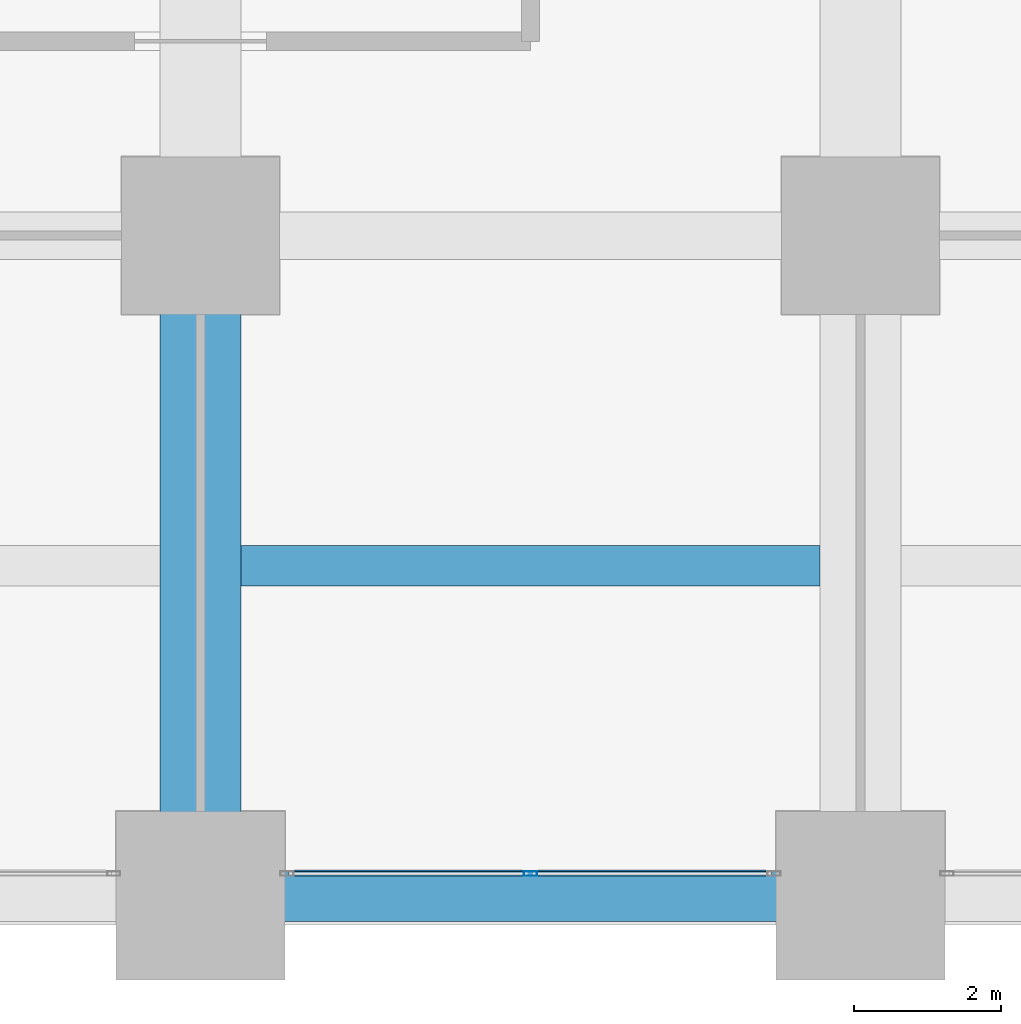
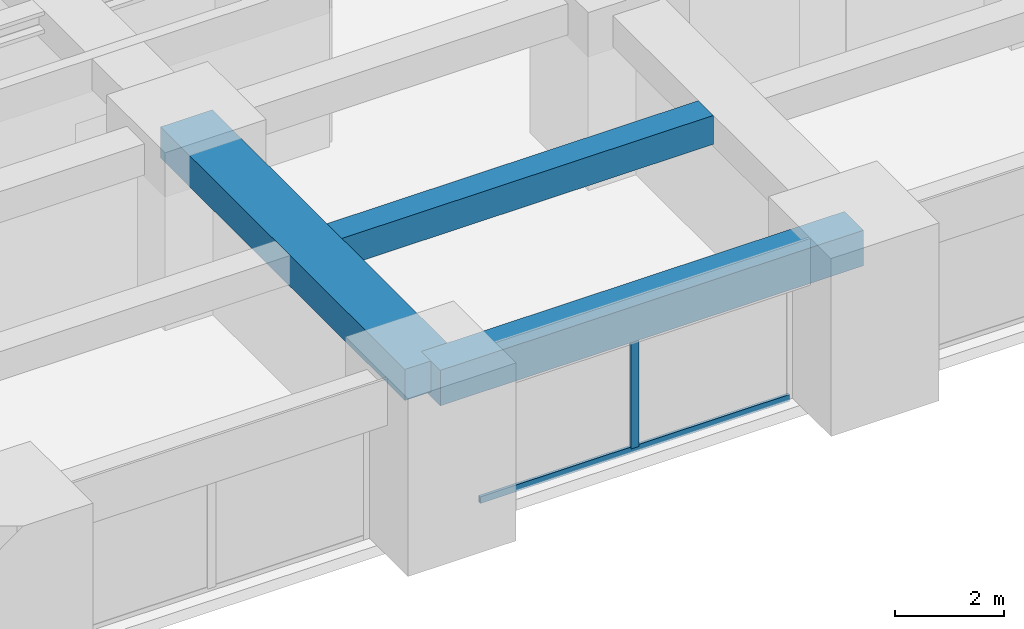
# One storey, part 7 of 44: 3 beams, 2 members, 1 element without a shape of its own.
"""IFC4 building model written with IfcOpenShell, lengths in metres."""

import ifcopenshell
import ifcopenshell.guid

model = None  # the IFC model being written
_history = None  # IfcOwnerHistory: only IFC2X3 demands one
_inside = {}  # id of a spatial element -> (the spatial element, [elements in it])
_under = {}  # id of a project, library or spatial element -> (it, [spatial elements below it])
_declared = {}  # id of a project -> (the project, [libraries it declares])
_typed = {}  # id of a type object -> (the type object, [elements of that type])
_made_of = {}  # id of a material, layer set ... -> (it, [elements and type objects made of it])


def new_model(schema):
    """Start an empty IFC model of exactly this schema.

    Asked for "IFC4X3", IfcOpenShell would pick the latest addendum, in which some entities
    have other attributes; the version numbers below select the first issue.
    IFC2X3 requires an IfcOwnerHistory on every rooted entity: one is made here for all.
    """
    global model, _history
    if schema == "IFC4X3":
        model = ifcopenshell.file(schema_version=(4, 3, 0, 0))
    else:
        model = ifcopenshell.file(schema=schema)
    _inside.clear()
    _under.clear()
    _declared.clear()
    _typed.clear()
    _made_of.clear()
    _history = None
    if model.schema == "IFC2X3":
        org = make("IfcOrganization", Name="unknown")
        user = make(
            "IfcPersonAndOrganization",
            ThePerson=make("IfcPerson", FamilyName="unknown"),
            TheOrganization=org,
        )
        app = make(
            "IfcApplication",
            ApplicationDeveloper=org,
            Version="unknown",
            ApplicationFullName="unknown",
            ApplicationIdentifier="unknown",
        )
        _history = make(
            "IfcOwnerHistory",
            OwningUser=user,
            OwningApplication=app,
            ChangeAction="ADDED",
            CreationDate=0,
        )
    return model


def make(cls, **values):
    """One entity of the class cls with the attributes given. An attribute that is None is left unset."""
    return model.create_entity(
        cls, **{name: value for name, value in values.items() if value is not None}
    )


def rooted(cls, **values):
    """An entity with a GlobalId (a new one), such as an element, a storey or a relation."""
    return make(cls, GlobalId=ifcopenshell.guid.new(), OwnerHistory=_history, **values)


def si_unit(unit_type, name, prefix=None):
    """IfcSIUnit, for example si_unit("LENGTHUNIT", "METRE", prefix="MILLI")."""
    return make("IfcSIUnit", UnitType=unit_type, Prefix=prefix, Name=name)


def assignment(units):
    """IfcUnitAssignment: the units of a project."""
    return None if units is None else make("IfcUnitAssignment", Units=units)


def point(xyz):
    """IfcCartesianPoint."""
    return None if xyz is None else make("IfcCartesianPoint", Coordinates=xyz)


def direction(xyz):
    """IfcDirection."""
    return None if xyz is None else make("IfcDirection", DirectionRatios=xyz)


def frame(location, z_axis=None, x_axis=None):
    """IfcAxis2Placement3D, a coordinate frame: its origin and axes. An axis left out is left unset."""
    return make(
        "IfcAxis2Placement3D",
        Location=point(location),
        Axis=direction(z_axis),
        RefDirection=direction(x_axis),
    )


def frame_2d(location, x_axis=None):
    """IfcAxis2Placement2D, a coordinate frame in the plane: its origin and x axis."""
    return make(
        "IfcAxis2Placement2D", Location=point(location), RefDirection=direction(x_axis)
    )


def origin():
    """The frame at (0, 0, 0) with its axes left unset."""
    return frame((0.0, 0.0, 0.0))


def origin_2d():
    """The frame at (0, 0) in the plane with its x axis left unset."""
    return frame_2d((0.0, 0.0))


def place(relative_to, where):
    """IfcLocalPlacement: puts the frame where relative to a parent placement (None: the world)."""
    return make(
        "IfcLocalPlacement", PlacementRelTo=relative_to, RelativePlacement=where
    )


def context(
    kind, dimensions, precision=None, world=None, true_north=None, identifier=None
):
    """IfcGeometricRepresentationContext, for example the 3D "Model" context."""
    return make(
        "IfcGeometricRepresentationContext",
        ContextIdentifier=identifier,
        ContextType=kind,
        CoordinateSpaceDimension=dimensions,
        Precision=precision,
        WorldCoordinateSystem=world,
        TrueNorth=true_north,
    )


def subcontext(parent, identifier, kind, view, scale=None):
    """IfcGeometricRepresentationSubContext, for example "Body" below "Model"."""
    return make(
        "IfcGeometricRepresentationSubContext",
        ContextIdentifier=identifier,
        ContextType=kind,
        ParentContext=parent,
        TargetScale=scale,
        TargetView=view,
    )


def project(units=None, contexts=None):
    """IfcProject with its units and contexts."""
    return rooted(
        "IfcProject",
        Name="project",
        RepresentationContexts=contexts,
        UnitsInContext=assignment(units),
    )


def spatial(cls, under=None, at=None, **own):
    """A site, building, storey or space (cls), placed at a placement, below another one or the project."""
    s = rooted(cls, ObjectPlacement=at, **own)
    if under is not None:
        _under.setdefault(under.id(), (under, []))[1].append(s)
    return s


def profile(cls, at=None, kind="AREA", **sizes):
    """A parametric profile (cls). Its sizes go by their IFC names, for example OverallWidth=200.0."""
    return make(cls, ProfileType=kind, Position=at, **sizes)


def rectangle(**sizes):
    """IfcRectangleProfileDef."""
    return profile("IfcRectangleProfileDef", **sizes)


def hollow_rectangle(**sizes):
    """IfcRectangleHollowProfileDef."""
    return profile("IfcRectangleHollowProfileDef", **sizes)


def extrude(swept, where, along, depth):
    """IfcExtrudedAreaSolid: the profile swept, set in the frame where, extruded along a direction by depth."""
    return make(
        "IfcExtrudedAreaSolid",
        SweptArea=swept,
        Position=where,
        ExtrudedDirection=direction(along),
        Depth=depth,
    )


def shape(context_of_items, identifier, shape_type, items):
    """IfcShapeRepresentation: the items that make up one representation, for example the "Body"."""
    return make(
        "IfcShapeRepresentation",
        ContextOfItems=context_of_items,
        RepresentationIdentifier=identifier,
        RepresentationType=shape_type,
        Items=items,
    )


def material(Name=None, Category=None):
    """IfcMaterial."""
    return make("IfcMaterial", Name=Name, Category=Category)


def material_profile(
    of_material, cross_section, Name=None, Category=None, Priority=None
):
    """IfcMaterialProfile: a cross section and its material."""
    return make(
        "IfcMaterialProfile",
        Name=Name,
        Material=of_material,
        Profile=cross_section,
        Priority=Priority,
        Category=Category,
    )


def profile_set(profiles, Name=None, composite=None):
    """IfcMaterialProfileSet."""
    return make(
        "IfcMaterialProfileSet",
        Name=Name,
        MaterialProfiles=profiles,
        CompositeProfile=composite,
    )


def made_of(thing, what):
    """Note that an element or type object is made of a material, layer set ...; save() writes the relation."""
    if what is not None:
        _made_of.setdefault(what.id(), (what, []))[1].append(thing)
    return thing


def type_object(cls, material=None, **own):
    """A type object (cls), such as IfcWallType, which elements share."""
    return made_of(rooted(cls, **own), material)


def element(
    cls,
    number,
    at=None,
    inside=None,
    cuts=None,
    type_object=None,
    material=None,
    context=None,
    identifier="Body",
    shape_type=None,
    held_by="IfcProductDefinitionShape",
    body=None,
    shapes=None,
    **own,
):
    """One element of the class cls, such as IfcWall. Its Tag is "e" and its number.

    at: its placement. inside: the storey or other place that contains it. cuts: it is an
    opening in that element (IfcRelVoidsElement). A single representation is given by context,
    identifier, shape_type and body (its items); several are given by shapes. held_by: the class
    of the entity that holds the representations. save() writes the other relations.
    """
    e = rooted(cls, Tag="e%d" % number, ObjectPlacement=at, **own)
    if body is not None:
        shapes = [shape(context, identifier, shape_type, body)]
    if shapes is not None:
        e.Representation = make(held_by, Representations=shapes)
    if inside is not None:
        _inside.setdefault(inside.id(), (inside, []))[1].append(e)
    if cuts is not None:
        rooted(
            "IfcRelVoidsElement", RelatingBuildingElement=cuts, RelatedOpeningElement=e
        )
    if type_object is not None:
        _typed.setdefault(type_object.id(), (type_object, []))[1].append(e)
    return made_of(e, material)


def aggregate(whole, parts):
    """IfcRelAggregates: a whole, such as a stair, and the parts it consists of."""
    return rooted("IfcRelAggregates", RelatingObject=whole, RelatedObjects=parts)


def save(model, path):
    """Write the relations noted so far, then the file.

    IfcRelAggregates (storeys below a building ...), IfcRelContainedInSpatialStructure (elements
    in a storey), IfcRelDefinesByType, IfcRelAssociatesMaterial and IfcRelDeclares: one each for
    every whole, place, type object, material and project.
    """
    for whole, parts in _under.values():
        aggregate(whole, parts)
    for where, things in _inside.values():
        rooted(
            "IfcRelContainedInSpatialStructure",
            RelatedElements=things,
            RelatingStructure=where,
        )
    for kind, things in _typed.values():
        rooted("IfcRelDefinesByType", RelatedObjects=things, RelatingType=kind)
    for what, things in _made_of.values():
        rooted("IfcRelAssociatesMaterial", RelatedObjects=things, RelatingMaterial=what)
    for by, libraries in _declared.values():
        rooted("IfcRelDeclares", RelatingContext=by, RelatedDefinitions=libraries)
    model.write(path)


model = new_model("IFC4")

# Units and contexts
model_context = context("Model", 3, precision=1e-05, world=origin(), true_north=direction((0.0, 1.0)))
body_context = subcontext(model_context, "Body", "Model", "MODEL_VIEW")
ifc_project = project(units=[si_unit("LENGTHUNIT", "METRE"), si_unit("AREAUNIT", "SQUARE_METRE"), si_unit("VOLUMEUNIT", "CUBIC_METRE"), si_unit("PLANEANGLEUNIT", "RADIAN"), si_unit("MASSUNIT", "GRAM", prefix="KILO")], contexts=[model_context])

# Site, building, storey
site_placement = place(None, origin())
site = spatial("IfcSite", under=ifc_project, at=site_placement, CompositionType="ELEMENT")
building_placement = place(site_placement, origin())
building = spatial("IfcBuilding", under=site, at=building_placement, Name="Zorevar Civic Tower", CompositionType="ELEMENT")
storey_placement = place(building_placement, frame((0.0, 0.0, 51.800048828125)))
storey = spatial("IfcBuildingStorey", under=building, at=storey_placement, Name="L12", CompositionType="ELEMENT", Elevation=51.800048828125)

# Beams
ifc_material_1 = material(Name="Concrete C50/60", Category="concrete")
ifc_material_profile_1 = material_profile(ifc_material_1, rectangle(XDim=1.10009765625, YDim=0.699951171875, at=origin_2d()), Name="RC 1100x700")
ifc_profile_set_1 = profile_set([ifc_material_profile_1], Name="Concrete C50/60")
beam_type_1 = type_object("IfcBeamType", Name="Beam RC 1100x700", PredefinedType="BEAM", material=ifc_profile_set_1)
beam_1_placement = place(storey_placement, frame((27.0, 0.0, 3.39990234375), z_axis=(0.0, 1.0, 0.0), x_axis=(-1.0, 0.0, 0.0)))
element("IfcBeam", 1, at=beam_1_placement, inside=storey, type_object=beam_type_1, Name="Girder L13", PredefinedType="BEAM", context=body_context, shape_type="SweptSolid", body=[
    extrude(rectangle(XDim=1.10009765625, YDim=0.699951171875, at=origin_2d()), origin(), (0.0, 0.0, 1.0), 9.0),
])
ifc_material_2 = material(Name="Concrete C50/60", Category="concrete")
ifc_material_profile_2 = material_profile(ifc_material_2, rectangle(XDim=0.550048828125, YDim=0.64990234375, at=origin_2d()), Name="RC 550x650")
ifc_profile_set_2 = profile_set([ifc_material_profile_2], Name="Concrete C50/60")
beam_type_2 = type_object("IfcBeamType", Name="Beam RC 550x650", PredefinedType="BEAM", material=ifc_profile_set_2)
beam_2_placement = place(storey_placement, frame((27.550048828125, 4.5, 3.425048828125), z_axis=(1.0, 0.0, 0.0), x_axis=(0.0, 1.0, 0.0)))
element("IfcBeam", 2, at=beam_2_placement, inside=storey, type_object=beam_type_2, Name="Secondary beam L13", PredefinedType="BEAM", context=body_context, shape_type="SweptSolid", body=[
    extrude(rectangle(XDim=0.550048828125, YDim=0.64990234375, at=origin_2d()), origin(), (0.0, 0.0, 1.0), 7.89990234375),
])

# Curtain wall, members
ifc_material_3 = material(Name="Dark grey solar-control glass in black aluminium frame", Category="aluminium")
curtain_wall_type = type_object("IfcCurtainWallType", Name="Curtain wall CW2 low zone", PredefinedType="NOTDEFINED", material=ifc_material_3)
curtain_wall_placement = place(storey_placement, origin())
curtain_wall = element("IfcCurtainWall", 3, at=curtain_wall_placement, inside=storey, type_object=curtain_wall_type, Name="CW2 L12", PredefinedType="NOTDEFINED")
ifc_material_4 = material(Name="Aluminium, black anodised", Category="aluminium")
ifc_material_profile_3 = material_profile(ifc_material_4, hollow_rectangle(XDim=0.06005859375, YDim=0.179931640625, WallThickness=0.00390625, at=origin_2d()), Name="AL 180x60x4")
ifc_profile_set_3 = profile_set([ifc_material_profile_3], Name="Aluminium, black anodised")
member_type_1 = type_object("IfcMemberType", Name="CW2 mullion AL 180x60x4", PredefinedType="MULLION", material=ifc_profile_set_3)
member_1_placement = place(storey_placement, frame((31.5, 0.300048828125, 0.06005859375), z_axis=(0.0, 0.0, 1.0), x_axis=(0.0, 1.0, 0.0)))
member_1 = element("IfcMember", 4, at=member_1_placement, type_object=member_type_1, Name="CW2 mullion 2", PredefinedType="MULLION", context=body_context, shape_type="SweptSolid", body=[
    extrude(hollow_rectangle(XDim=0.06005859375, YDim=0.179931640625, WallThickness=0.00390625, at=origin_2d()), origin(), (0.0, 0.0, 1.0), 2.889892578125),
])
ifc_material_5 = material(Name="Aluminium, black anodised", Category="aluminium")
ifc_material_profile_4 = material_profile(ifc_material_5, hollow_rectangle(XDim=0.06005859375, YDim=0.14990234375, WallThickness=0.00390625, at=origin_2d()), Name="AL 150x60x4")
ifc_profile_set_4 = profile_set([ifc_material_profile_4], Name="Aluminium, black anodised")
member_type_2 = type_object("IfcMemberType", Name="CW2 transom AL 150x60x4", PredefinedType="USERDEFINED", material=ifc_profile_set_4)
member_2_placement = place(storey_placement, frame((28.2099609375, 0.300048828125, 0.030029296875), z_axis=(1.0, 0.0, 0.0), x_axis=(0.0, 1.0, 0.0)))
member_2 = element("IfcMember", 5, at=member_2_placement, type_object=member_type_2, Name="CW2 sill transom", ObjectType="TRANSOM", PredefinedType="USERDEFINED", context=body_context, shape_type="SweptSolid", body=[
    extrude(hollow_rectangle(XDim=0.06005859375, YDim=0.14990234375, WallThickness=0.00390625, at=origin_2d()), origin(), (0.0, 0.0, 1.0), 6.580078125),
])
aggregate(curtain_wall, [member_1, member_2])

# Beam
ifc_material_6 = material(Name="Concrete C50/60", Category="concrete")
ifc_material_profile_5 = material_profile(ifc_material_6, rectangle(XDim=0.699951171875, YDim=0.800048828125, at=origin_2d()), Name="RC 700x800")
ifc_profile_set_5 = profile_set([ifc_material_profile_5], Name="Concrete C50/60")
beam_type_3 = type_object("IfcBeamType", Name="Edge beam RC 700x800", PredefinedType="SPANDREL", material=ifc_profile_set_5)
beam_3_placement = place(storey_placement, frame((27.0, 0.0, 3.349853515625), z_axis=(1.0, 0.0, 0.0), x_axis=(0.0, 1.0, 0.0)))
element("IfcBeam", 6, at=beam_3_placement, inside=storey, type_object=beam_type_3, Name="Edge beam L13", PredefinedType="SPANDREL", context=body_context, shape_type="SweptSolid", body=[
    extrude(rectangle(XDim=0.699951171875, YDim=0.800048828125, at=origin_2d()), origin(), (0.0, 0.0, 1.0), 9.0),
])

save(model, "model.ifc")
